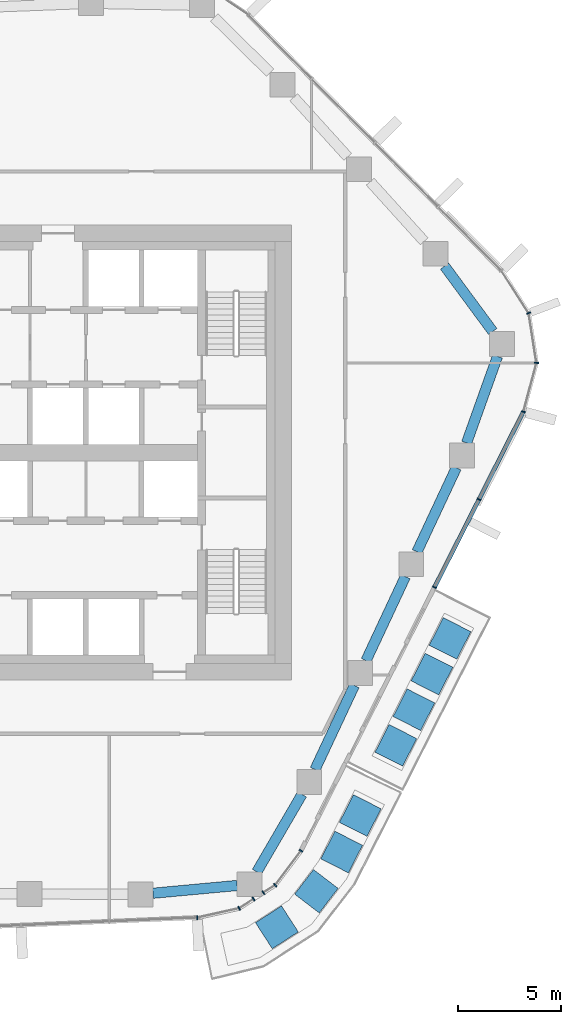
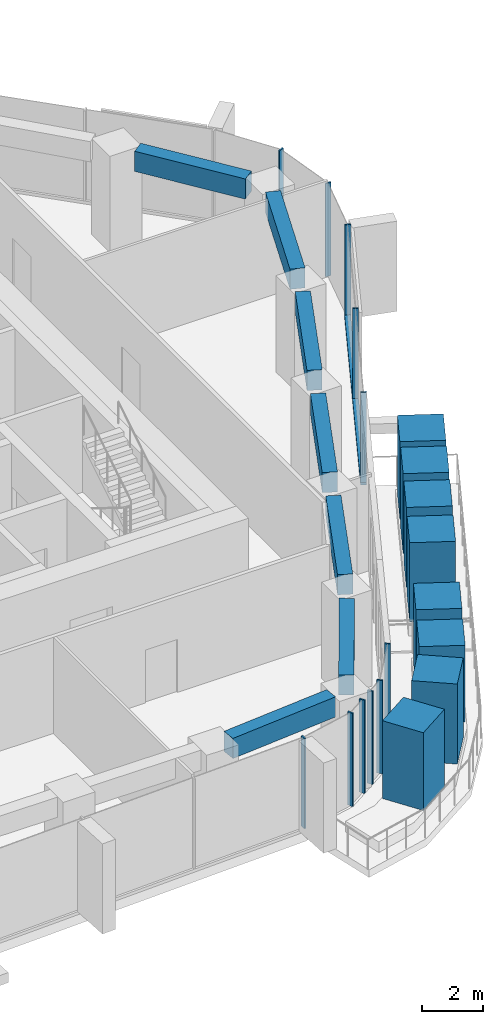
# One storey, part 4 of 17: 20 members, 7 beams, 5 elements without a shape of their own.
"""IFC4 building model written with IfcOpenShell, lengths in metres."""

from ifc_helpers import new_model, si_unit, direction, frame, origin, origin_2d, place, context, subcontext, project, spatial, rectangle, extrude, material, layer, layer_set, material_profile, profile_set, type_object, element, aggregate, save


model = new_model("IFC4")

# Units and contexts
model_context = context("Model", 3, precision=1e-05, world=origin(), true_north=direction((0.0, 1.0)))
body_context = subcontext(model_context, "Body", "Model", "MODEL_VIEW")
ifc_project = project(units=[si_unit("LENGTHUNIT", "METRE"), si_unit("AREAUNIT", "SQUARE_METRE"), si_unit("VOLUMEUNIT", "CUBIC_METRE"), si_unit("PLANEANGLEUNIT", "RADIAN"), si_unit("MASSUNIT", "GRAM", prefix="KILO")], contexts=[model_context])

# Site, building, storey
site_placement = place(None, origin())
site = spatial("IfcSite", under=ifc_project, at=site_placement, CompositionType="ELEMENT")
building_placement = place(site_placement, origin())
building = spatial("IfcBuilding", under=site, at=building_placement, Name="Dongbaek Canopy Tower", CompositionType="ELEMENT")
storey_placement = place(building_placement, frame((0.0, 0.0, 175.39990234375)))
storey = spatial("IfcBuildingStorey", under=building, at=storey_placement, Name="L38", CompositionType="ELEMENT", Elevation=175.39990234375)

# Curtain wall, members
ifc_material_1 = material(Name="Aluminium 6063-T6 pale anodised", Category="aluminium")
ifc_layer = layer(ifc_material_1, 0.199951171875)
ifc_layer_set = layer_set([ifc_layer], Name="CW-1 unitised tower curtain wall")
curtain_wall_type = type_object("IfcCurtainWallType", Name="CW-1 unitised tower curtain wall", PredefinedType="NOTDEFINED", material=ifc_layer_set)
curtain_wall_1_placement = place(storey_placement, origin())
curtain_wall_1 = element("IfcCurtainWall", 1, at=curtain_wall_1_placement, inside=storey, type_object=curtain_wall_type, Name="CW-1 curtain wall K0.1", PredefinedType="NOTDEFINED")
ifc_material_2 = material(Name="Aluminium 6063-T6 pale anodised", Category="aluminium")
ifc_material_profile_1 = material_profile(ifc_material_2, rectangle(XDim=0.199951171875, YDim=0.06005859375, at=origin_2d()), Name="CW-1 mullion 60 x 200")
ifc_profile_set_1 = profile_set([ifc_material_profile_1], Name="Aluminium 6063-T6 pale anodised")
member_type_1 = type_object("IfcMemberType", Name="CW-1 mullion 60 x 200", PredefinedType="MULLION", material=ifc_profile_set_1)
member_1_placement = place(storey_placement, frame((25.218505859375, 1.974609375, 0.0), z_axis=(0.0, 0.0, 1.0), x_axis=(0.966167065095, -0.257917045436, 0.0)))
member_1 = element("IfcMember", 2, at=member_1_placement, type_object=member_type_1, Name="CW-1 mullion K0.1.1", PredefinedType="MULLION", context=body_context, shape_type="SweptSolid", body=[
    extrude(rectangle(XDim=0.199951171875, YDim=0.06005859375, at=origin_2d()), origin(), (0.0, 0.0, 1.0), 3.7001953125),
])
member_2_placement = place(storey_placement, frame((25.85009765625, 4.340087890625, 0.0), z_axis=(0.0, 0.0, 1.0), x_axis=(0.998610902955, -0.052690269496, 0.0)))
member_2 = element("IfcMember", 3, at=member_2_placement, type_object=member_type_1, Name="CW-1 mullion K0.1.2", PredefinedType="MULLION", context=body_context, shape_type="SweptSolid", body=[
    extrude(rectangle(XDim=0.199951171875, YDim=0.06005859375, at=origin_2d()), origin(), (0.0, 0.0, 1.0), 3.7001953125),
])
member_3_placement = place(storey_placement, frame((25.47265625, 6.748291015625, 0.0), z_axis=(0.0, 0.0, 1.0), x_axis=(0.934627080368, 0.355629330402, 0.0)))
member_3 = element("IfcMember", 4, at=member_3_placement, type_object=member_type_1, Name="CW-1 mullion K0.1.3", PredefinedType="MULLION", context=body_context, shape_type="SweptSolid", body=[
    extrude(rectangle(XDim=0.199951171875, YDim=0.06005859375, at=origin_2d()), origin(), (0.0, 0.0, 1.0), 3.7001953125),
])
aggregate(curtain_wall_1, [member_1, member_2, member_3])

# Curtain wall, member
curtain_wall_2_placement = place(storey_placement, origin())
curtain_wall_2 = element("IfcCurtainWall", 5, at=curtain_wall_2_placement, inside=storey, type_object=curtain_wall_type, Name="CW-1 curtain wall F4.1", PredefinedType="NOTDEFINED")
member_4_placement = place(storey_placement, frame((9.439697265625, -22.49658203125, 0.1201171875), z_axis=(0.0, 0.0, 1.0), x_axis=(0.043640187851, -0.999047313196, 0.0)))
member_4 = element("IfcMember", 6, at=member_4_placement, type_object=member_type_1, Name="CW-1 mullion F4.1.5", PredefinedType="MULLION", context=body_context, shape_type="SweptSolid", body=[
    extrude(rectangle(XDim=0.199951171875, YDim=0.06005859375, at=origin_2d()), origin(), (0.0, 0.0, 1.0), 3.580078125),
])
aggregate(curtain_wall_2, [member_4])

# Curtain wall, members
curtain_wall_3_placement = place(storey_placement, origin())
curtain_wall_3 = element("IfcCurtainWall", 7, at=curtain_wall_3_placement, inside=storey, type_object=curtain_wall_type, Name="CW-1 curtain wall K5.1a", PredefinedType="NOTDEFINED")
member_5_placement = place(storey_placement, frame((11.46826171875, -22.04296875, 0.0), z_axis=(0.0, 0.0, 1.0), x_axis=(0.386065487551, -0.922471375882, 0.0)))
member_5 = element("IfcMember", 8, at=member_5_placement, type_object=member_type_1, Name="CW-1 mullion K5.1a.2", PredefinedType="MULLION", context=body_context, shape_type="SweptSolid", body=[
    extrude(rectangle(XDim=0.199951171875, YDim=0.06005859375, at=origin_2d()), origin(), (0.0, 0.0, 1.0), 3.7001953125),
])
member_6_placement = place(storey_placement, frame((12.1640625, -21.59423828125, 0.0), z_axis=(0.0, 0.0, 1.0), x_axis=(0.541917367704, -0.8404317739, 0.0)))
member_6 = element("IfcMember", 9, at=member_6_placement, type_object=member_type_1, Name="CW-1 mullion K5.1a.3", PredefinedType="MULLION", context=body_context, shape_type="SweptSolid", body=[
    extrude(rectangle(XDim=0.199951171875, YDim=0.06005859375, at=origin_2d()), origin(), (0.0, 0.0, 1.0), 3.7001953125),
])
aggregate(curtain_wall_3, [member_5, member_6])

curtain_wall_4_placement = place(storey_placement, origin())
curtain_wall_4 = element("IfcCurtainWall", 10, at=curtain_wall_4_placement, inside=storey, type_object=curtain_wall_type, Name="CW-1 curtain wall K5.1b", PredefinedType="NOTDEFINED")
member_7_placement = place(storey_placement, frame((12.642333984375, -21.285888671875, 0.0), z_axis=(0.0, 0.0, 1.0), x_axis=(0.541917367704, -0.8404317739, 0.0)))
member_7 = element("IfcMember", 11, at=member_7_placement, type_object=member_type_1, Name="CW-1 mullion K5.1b.1", PredefinedType="MULLION", context=body_context, shape_type="SweptSolid", body=[
    extrude(rectangle(XDim=0.199951171875, YDim=0.06005859375, at=origin_2d()), origin(), (0.0, 0.0, 1.0), 3.7001953125),
])
member_8_placement = place(storey_placement, frame((13.20751953125, -20.92138671875, 0.0), z_axis=(0.0, 0.0, 1.0), x_axis=(0.680958805912, -0.732321722094, 0.0)))
member_8 = element("IfcMember", 12, at=member_8_placement, type_object=member_type_1, Name="CW-1 mullion K5.1b.2", PredefinedType="MULLION", context=body_context, shape_type="SweptSolid", body=[
    extrude(rectangle(XDim=0.199951171875, YDim=0.06005859375, at=origin_2d()), origin(), (0.0, 0.0, 1.0), 3.7001953125),
])
member_9_placement = place(storey_placement, frame((14.4580078125, -19.2607421875, 0.0), z_axis=(0.0, 0.0, 1.0), x_axis=(0.798876694377, -0.601494827227, 0.0)))
member_9 = element("IfcMember", 13, at=member_9_placement, type_object=member_type_1, Name="CW-1 mullion K5.1b.3", PredefinedType="MULLION", context=body_context, shape_type="SweptSolid", body=[
    extrude(rectangle(XDim=0.199951171875, YDim=0.06005859375, at=origin_2d()), origin(), (0.0, 0.0, 1.0), 3.7001953125),
])
aggregate(curtain_wall_4, [member_7, member_8, member_9])

curtain_wall_5_placement = place(storey_placement, origin())
curtain_wall_5 = element("IfcCurtainWall", 14, at=curtain_wall_5_placement, inside=storey, type_object=curtain_wall_type, Name="CW-1 curtain wall F5.1", PredefinedType="NOTDEFINED")
member_10_placement = place(storey_placement, frame((20.91552734375, -6.51708984375, 0.1201171875), z_axis=(0.0, 0.0, 1.0), x_axis=(0.892013184253, -0.452009379459, 0.0)))
member_10 = element("IfcMember", 15, at=member_10_placement, type_object=member_type_1, Name="CW-1 mullion F5.1.1", PredefinedType="MULLION", context=body_context, shape_type="SweptSolid", body=[
    extrude(rectangle(XDim=0.199951171875, YDim=0.06005859375, at=origin_2d()), origin(), (0.0, 0.0, 1.0), 3.580078125),
])
member_11_placement = place(storey_placement, frame((23.0693359375, -2.2666015625, 0.1201171875), z_axis=(0.0, 0.0, 1.0), x_axis=(0.892013184253, -0.452009379459, 0.0)))
member_11 = element("IfcMember", 16, at=member_11_placement, type_object=member_type_1, Name="CW-1 mullion F5.1.2", PredefinedType="MULLION", context=body_context, shape_type="SweptSolid", body=[
    extrude(rectangle(XDim=0.199951171875, YDim=0.06005859375, at=origin_2d()), origin(), (0.0, 0.0, 1.0), 3.580078125),
])
ifc_material_3 = material(Name="Aluminium 6063-T6 pale anodised", Category="aluminium")
ifc_material_profile_2 = material_profile(ifc_material_3, rectangle(XDim=0.199951171875, YDim=0.1201171875, at=origin_2d()), Name="CW-1 transom 120 x 200")
ifc_profile_set_2 = profile_set([ifc_material_profile_2], Name="Aluminium 6063-T6 pale anodised")
member_type_2 = type_object("IfcMemberType", Name="CW-1 transom 120 x 200", PredefinedType="USERDEFINED", material=ifc_profile_set_2)
member_12_placement = place(storey_placement, frame((20.91552734375, -6.51708984375, 0.06005859375), z_axis=(0.452008055739, 0.89201385502, 0.0), x_axis=(-0.89201385502, 0.452008055739, 0.0)))
member_12 = element("IfcMember", 17, at=member_12_placement, type_object=member_type_2, Name="CW-1 transom F5.1.1", ObjectType="TRANSOM", PredefinedType="USERDEFINED", context=body_context, shape_type="SweptSolid", body=[
    extrude(rectangle(XDim=0.199951171875, YDim=0.1201171875, at=origin_2d()), origin(), (0.0, 0.0, 1.0), 9.519775390625),
])
aggregate(curtain_wall_5, [member_10, member_11, member_12])

# Beams
ifc_material_4 = material(Name="Concrete C70", Category="concrete")
ifc_material_profile_3 = material_profile(ifc_material_4, rectangle(XDim=0.5, YDim=0.800048828125, at=origin_2d()), Name="RC EDGE BEAM 500x800 C70")
ifc_profile_set_3 = profile_set([ifc_material_profile_3], Name="Concrete C70")
beam_type = type_object("IfcBeamType", Name="RC EDGE BEAM 500x800 C70", PredefinedType="BEAM", material=ifc_profile_set_3)
beam_1_placement = place(storey_placement, frame((11.3720703125, -20.9404296875, 3.420166015625), z_axis=(-0.995763065099, -0.091956066598, 0.0), x_axis=(0.091956066598, -0.995763065099, 0.0)))
element("IfcBeam", 18, at=beam_1_placement, inside=storey, type_object=beam_type, Name="EDGEBEAM:L38:00", PredefinedType="BEAM", context=body_context, shape_type="SweptSolid", body=[
    extrude(rectangle(XDim=0.5, YDim=0.800048828125, at=origin_2d()), origin(), (0.0, 0.0, 1.0), 4.09130859375),
])
beam_2_placement = place(storey_placement, frame((21.402587890625, 9.02099609375, 3.420166015625), z_axis=(0.593743199573, -0.804654592332, 0.0), x_axis=(0.804654592332, 0.593743199573, 0.0)))
element("IfcBeam", 19, at=beam_2_placement, inside=storey, type_object=beam_type, Name="EDGEBEAM:L38:20", PredefinedType="BEAM", context=body_context, shape_type="SweptSolid", body=[
    extrude(rectangle(XDim=0.5, YDim=0.800048828125, at=origin_2d()), origin(), (0.0, 0.0, 1.0), 3.93212890625),
])
beam_3_placement = place(storey_placement, frame((23.965576171875, 4.656982421875, 3.420166015625), z_axis=(-0.336398951073, -0.941719568511, 0.0), x_axis=(0.941719568511, -0.336398951073, 0.0)))
element("IfcBeam", 20, at=beam_3_placement, inside=storey, type_object=beam_type, Name="EDGEBEAM:L38:21", PredefinedType="BEAM", context=body_context, shape_type="SweptSolid", body=[
    extrude(rectangle(XDim=0.5, YDim=0.800048828125, at=origin_2d()), origin(), (0.0, 0.0, 1.0), 4.4501953125),
])
beam_4_placement = place(storey_placement, frame((21.972900390625, -0.73388671875, 3.420166015625), z_axis=(-0.424114752544, -0.905608456605, 0.0), x_axis=(0.905608456605, -0.424114752544, 0.0)))
element("IfcBeam", 21, at=beam_4_placement, inside=storey, type_object=beam_type, Name="EDGEBEAM:L38:22", PredefinedType="BEAM", context=body_context, shape_type="SweptSolid", body=[
    extrude(rectangle(XDim=0.5, YDim=0.800048828125, at=origin_2d()), origin(), (0.0, 0.0, 1.0), 4.489013671875),
])
beam_5_placement = place(storey_placement, frame((19.507080078125, -5.9990234375, 3.420166015625), z_axis=(-0.424057758342, -0.905635145956, 0.0), x_axis=(0.905635145956, -0.424057758342, 0.0)))
element("IfcBeam", 22, at=beam_5_placement, inside=storey, type_object=beam_type, Name="EDGEBEAM:L38:23", PredefinedType="BEAM", context=body_context, shape_type="SweptSolid", body=[
    extrude(rectangle(XDim=0.5, YDim=0.800048828125, at=origin_2d()), origin(), (0.0, 0.0, 1.0), 4.49072265625),
])
beam_6_placement = place(storey_placement, frame((17.041015625, -11.26611328125, 3.420166015625), z_axis=(-0.424275059541, -0.905533364295, 0.0), x_axis=(0.905533364295, -0.424275059541, 0.0)))
element("IfcBeam", 23, at=beam_6_placement, inside=storey, type_object=beam_type, Name="EDGEBEAM:L38:24", PredefinedType="BEAM", context=body_context, shape_type="SweptSolid", body=[
    extrude(rectangle(XDim=0.5, YDim=0.800048828125, at=origin_2d()), origin(), (0.0, 0.0, 1.0), 4.489990234375),
])
beam_7_placement = place(storey_placement, frame((14.505859375, -16.531982421875, 3.420166015625), z_axis=(-0.503073799677, -0.864243456486, 0.0), x_axis=(0.864243456486, -0.503073799677, 0.0)))
element("IfcBeam", 24, at=beam_7_placement, inside=storey, type_object=beam_type, Name="EDGEBEAM:L38:25", PredefinedType="BEAM", context=body_context, shape_type="SweptSolid", body=[
    extrude(rectangle(XDim=0.5, YDim=0.800048828125, at=origin_2d()), origin(), (0.0, 0.0, 1.0), 4.342529296875),
])

# Members
ifc_material_5 = material(Name="Concrete C40/50 planter mass with planting", Category="concrete")
ifc_material_profile_4 = material_profile(ifc_material_5, rectangle(XDim=1.5, YDim=1.5, at=origin_2d()), Name="Terrace PLANTER shrub mass 1500 x 1500")
ifc_profile_set_4 = profile_set([ifc_material_profile_4], Name="Concrete C40/50 planter mass with planting")
member_type_3 = type_object("IfcMemberType", Name="Terrace PLANTER shrub mass 1500 x 1500", PredefinedType="USERDEFINED", material=ifc_profile_set_4)
member_13_placement = place(storey_placement, frame((19.048095703125, -14.16259765625, 0.420166015625), z_axis=(0.0, 0.0, 1.0), x_axis=(0.892013184253, -0.452009379459, 0.0)))
element("IfcMember", 25, at=member_13_placement, inside=storey, type_object=member_type_3, Name="Planter shrubs L38 1.1", ObjectType="PLANTER", PredefinedType="USERDEFINED", context=body_context, shape_type="SweptSolid", body=[
    extrude(rectangle(XDim=1.5, YDim=1.5, at=origin_2d()), origin(), (0.0, 0.0, 1.0), 3.1298828125),
])
member_14_placement = place(storey_placement, frame((19.921630859375, -12.438720703125, 0.420166015625), z_axis=(0.0, 0.0, 1.0), x_axis=(0.892013184253, -0.452009379459, 0.0)))
element("IfcMember", 26, at=member_14_placement, inside=storey, type_object=member_type_3, Name="Planter shrubs L38 1.2", ObjectType="PLANTER", PredefinedType="USERDEFINED", context=body_context, shape_type="SweptSolid", body=[
    extrude(rectangle(XDim=1.5, YDim=1.5, at=origin_2d()), origin(), (0.0, 0.0, 1.0), 3.179931640625),
])
member_15_placement = place(storey_placement, frame((20.795166015625, -10.71484375, 0.420166015625), z_axis=(0.0, 0.0, 1.0), x_axis=(0.892013184253, -0.452009379459, 0.0)))
element("IfcMember", 27, at=member_15_placement, inside=storey, type_object=member_type_3, Name="Planter shrubs L38 1.3", ObjectType="PLANTER", PredefinedType="USERDEFINED", context=body_context, shape_type="SweptSolid", body=[
    extrude(rectangle(XDim=1.5, YDim=1.5, at=origin_2d()), origin(), (0.0, 0.0, 1.0), 3.169921875),
])
for number, where, z_axis, x_axis, name in (
    (28, (21.668701171875, -8.990966796875, 0.420166015625), (0.0, 0.0, 1.0), (0.892013184253, -0.452009379459, 0.0), "Planter shrubs L38 1.4"),
    (29, (13.293701171875, -22.964599609375, 0.420166015625), (0.0, 0.0, 1.0), (0.541917367704, -0.8404317739, 0.0), "Planter shrubs L38 2.1"),
):
    element("IfcMember", number, at=place(storey_placement, frame(where, z_axis=z_axis, x_axis=x_axis)), inside=storey, type_object=member_type_3, Name=name, ObjectType="PLANTER", PredefinedType="USERDEFINED", context=body_context, shape_type="SweptSolid", body=[
        extrude(rectangle(XDim=1.5, YDim=1.5, at=origin_2d()), origin(), (0.0, 0.0, 1.0), 3.08984375),
    ])
member_16_placement = place(storey_placement, frame((15.20263671875, -21.220458984375, 0.420166015625), z_axis=(0.0, 0.0, 1.0), x_axis=(0.794220072338, -0.607630213778, 0.0)))
element("IfcMember", 30, at=member_16_placement, inside=storey, type_object=member_type_3, Name="Planter shrubs L38 2.2", ObjectType="PLANTER", PredefinedType="USERDEFINED", context=body_context, shape_type="SweptSolid", body=[
    extrude(rectangle(XDim=1.5, YDim=1.5, at=origin_2d()), origin(), (0.0, 0.0, 1.0), 3.179931640625),
])
member_17_placement = place(storey_placement, frame((16.427001953125, -19.324462890625, 0.420166015625), z_axis=(0.0, 0.0, 1.0), x_axis=(0.891263260398, -0.453486273955, 0.0)))
element("IfcMember", 31, at=member_17_placement, inside=storey, type_object=member_type_3, Name="Planter shrubs L38 2.3", ObjectType="PLANTER", PredefinedType="USERDEFINED", context=body_context, shape_type="SweptSolid", body=[
    extrude(rectangle(XDim=1.5, YDim=1.5, at=origin_2d()), origin(), (0.0, 0.0, 1.0), 3.050048828125),
])
member_18_placement = place(storey_placement, frame((17.32568359375, -17.557861328125, 0.420166015625), z_axis=(0.0, 0.0, 1.0), x_axis=(0.891263260398, -0.453486273955, 0.0)))
element("IfcMember", 32, at=member_18_placement, inside=storey, type_object=member_type_3, Name="Planter shrubs L38 2.4", ObjectType="PLANTER", PredefinedType="USERDEFINED", context=body_context, shape_type="SweptSolid", body=[
    extrude(rectangle(XDim=1.5, YDim=1.5, at=origin_2d()), origin(), (0.0, 0.0, 1.0), 3.1298828125),
])

save(model, "model.ifc")
